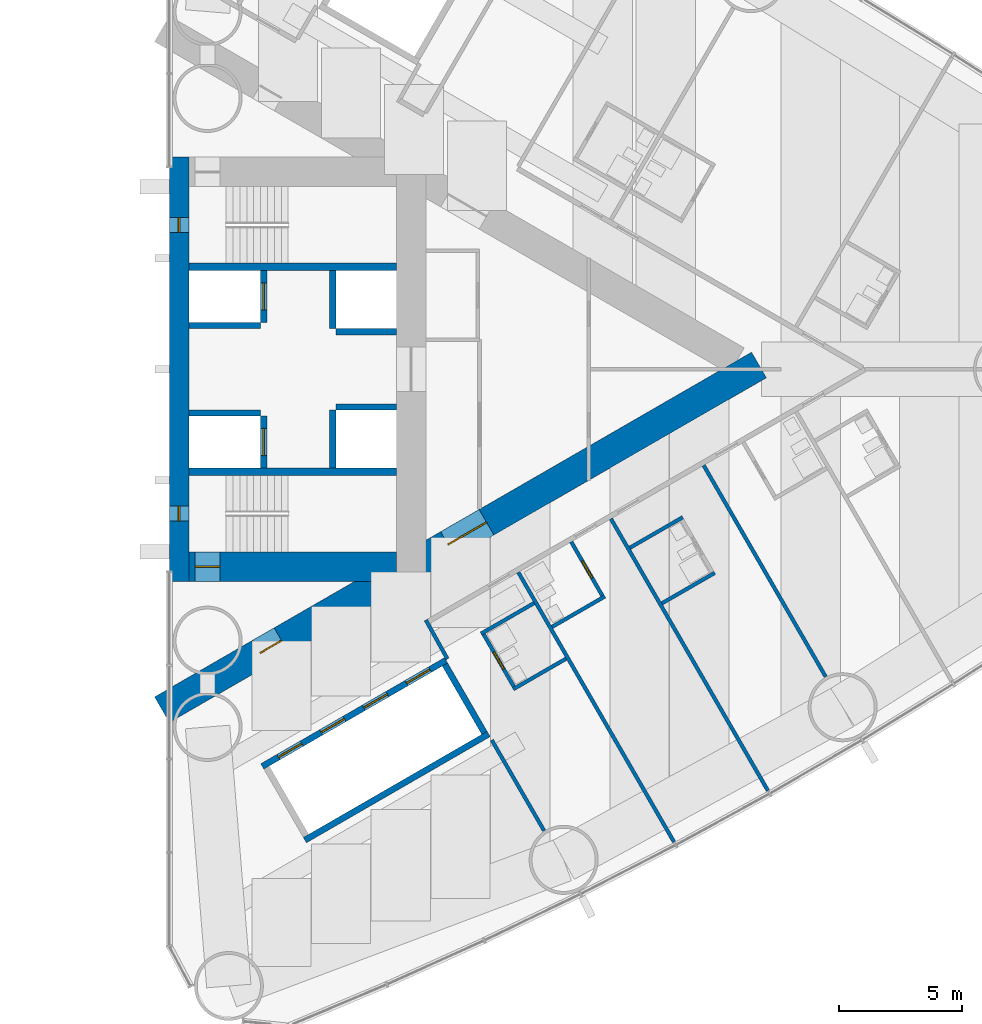
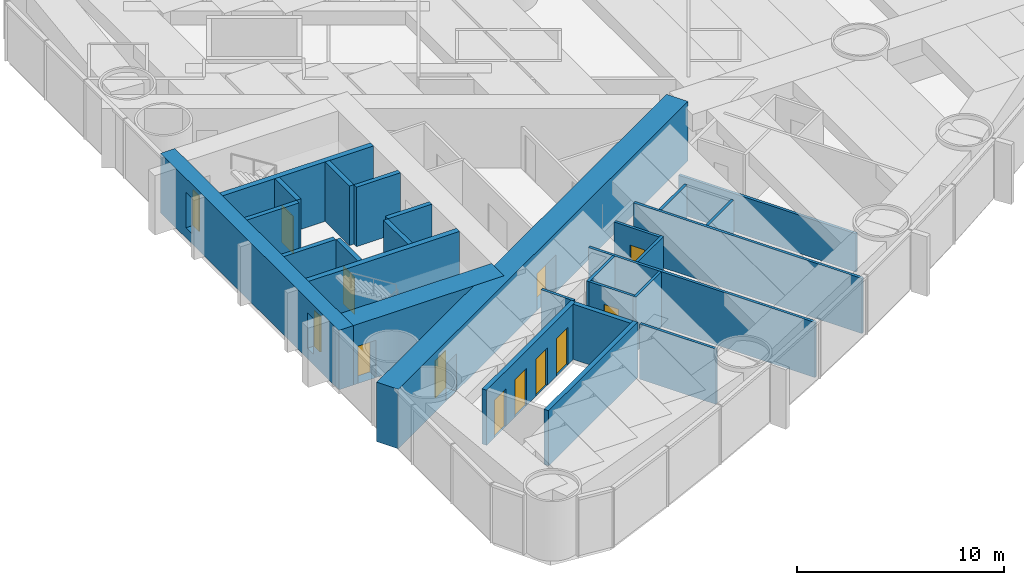
# One storey, part 14 of 19: 28 walls, 11 doors, 2 windows, 13 openings.
"""IFC4 building model written with IfcOpenShell, lengths in metres."""

from ifc_helpers import new_model, si_unit, direction, frame, frame_2d, origin, place, context, subcontext, project, spatial, rectangle, extrude, material, layer, layer_set, type_object, element, fill, save


model = new_model("IFC4")

# Units and contexts
model_context = context("Model", 3, precision=1e-05, world=origin(), true_north=direction((0.0, 1.0)))
body_context = subcontext(model_context, "Body", "Model", "MODEL_VIEW")
ifc_project = project(units=[si_unit("LENGTHUNIT", "METRE"), si_unit("AREAUNIT", "SQUARE_METRE"), si_unit("VOLUMEUNIT", "CUBIC_METRE"), si_unit("PLANEANGLEUNIT", "RADIAN"), si_unit("MASSUNIT", "GRAM", prefix="KILO")], contexts=[model_context])

# Site, building, storey
site_placement = place(None, origin())
site = spatial("IfcSite", under=ifc_project, at=site_placement, CompositionType="ELEMENT")
building_placement = place(site_placement, origin())
building = spatial("IfcBuilding", under=site, at=building_placement, Name="Lancet Gate Hotel", CompositionType="ELEMENT")
storey_placement = place(building_placement, frame((0.0, 0.0, 63.5)))
storey = spatial("IfcBuildingStorey", under=building, at=storey_placement, Name="L16", CompositionType="ELEMENT", Elevation=63.5)

# Wall
ifc_material_1 = material(Name="Moisture resistant board partition")
ifc_layer_1 = layer(ifc_material_1, 0.14990234375)
ifc_layer_set_1 = layer_set([ifc_layer_1], Name="Bathroom wall 150")
wall_type_1 = type_object("IfcWallType", Name="Bathroom wall 150", PredefinedType="PARTITIONING", material=ifc_layer_set_1)
wall_1_placement = place(storey_placement, frame((43.01220703125, -10.4443359375, 0.0), z_axis=(0.0, 0.0, 1.0), x_axis=(0.866031185235, 0.4999899861, 0.0)))
element("IfcWall", 1, at=wall_1_placement, inside=storey, type_object=wall_type_1, Name="T2 bathroom wall 150 L16", PredefinedType="PARTITIONING", context=body_context, shape_type="SweptSolid", body=[
    extrude(rectangle(XDim=2.47509765625, YDim=0.14990234375, at=frame_2d((1.237548828125, 0.0))), origin(), (0.0, 0.0, 1.0), 3.25),
])

# Wall, opening, door
wall_2_placement = place(storey_placement, frame((43.790771484375, -6.99267578125, 0.0), z_axis=(0.0, 0.0, 1.0), x_axis=(0.500047596559, -0.865997922154, 0.0)))
wall_2 = element("IfcWall", 2, at=wall_2_placement, inside=storey, type_object=wall_type_1, Name="T2 bathroom wall 150 L16", PredefinedType="PARTITIONING", context=body_context, shape_type="SweptSolid", body=[
    extrude(rectangle(XDim=2.599853515625, YDim=0.14990234375, at=frame_2d((1.2998046875, 0.0))), origin(), (0.0, 0.0, 1.0), 3.25),
])
opening_1_placement = place(wall_2_placement, frame((0.89990234375, 0.0, 0.0)))
opening_1 = element("IfcOpeningElement", 3, at=opening_1_placement, cuts=wall_2, Name="Opening 1654-B", PredefinedType="OPENING", context=body_context, shape_type="SweptSolid", body=[
    extrude(rectangle(XDim=0.800048828125, YDim=2.199951171875, at=frame_2d((0.39990234375, 1.10009765625))), frame((0.0, 0.0849609375, 0.0), z_axis=(0.0, -1.0, 0.0), x_axis=(1.0, 0.0, 0.0)), (0.0, 0.0, 1.0), 0.169921875),
])
ifc_material_2 = material(Name="Timber door set", Category="wood")
door_type_1 = type_object("IfcDoorType", Name="Bathroom door 800", OperationType="SINGLE_SWING_RIGHT", PredefinedType="DOOR", material=ifc_material_2)
door_1_placement = place(opening_1_placement, origin())
door_1 = element("IfcDoor", 4, at=door_1_placement, inside=storey, type_object=door_type_1, Name="1654-B", OperationType="SINGLE_SWING_RIGHT", OverallHeight=2.199951171875, OverallWidth=0.800048828125, PredefinedType="DOOR", context=body_context, shape_type="SweptSolid", body=[
    extrude(rectangle(XDim=0.800048828125, YDim=2.199951171875, at=frame_2d((0.39990234375, 1.10009765625))), frame((0.0, 0.02490234375, 0.0), z_axis=(0.0, -1.0, 0.0), x_axis=(1.0, 0.0, 0.0)), (0.0, 0.0, 1.0), 0.050048828125),
])
fill(opening_1, door_1)

# Walls
for number, where, z_axis, x_axis, name in (
    (5, (47.468017578125, -9.48828125, 0.0), (0.0, 0.0, 1.0), (0.86604923931, 0.499958713387, 0.0), "T2 bathroom wall 150 L16"),
    (6, (46.16796875, -7.23681640625, 0.0), (0.0, 0.0, 1.0), (0.866006523861, 0.500032699561, 0.0), "T2 bathroom wall 150 L16"),
):
    element("IfcWall", number, at=place(storey_placement, frame(where, z_axis=z_axis, x_axis=x_axis)), inside=storey, type_object=wall_type_1, Name=name, PredefinedType="PARTITIONING", context=body_context, shape_type="SweptSolid", body=[
        extrude(rectangle(XDim=2.474853515625, YDim=0.14990234375, at=frame_2d((1.2373046875, 0.0))), origin(), (0.0, 0.0, 1.0), 3.25),
    ])
wall_3_placement = place(storey_placement, frame((41.43896484375, -12.96923828125, 0.0), z_axis=(0.0, 0.0, 1.0), x_axis=(0.866031185235, 0.4999899861, 0.0)))
element("IfcWall", 7, at=wall_3_placement, inside=storey, type_object=wall_type_1, Name="T2 bathroom wall 150 L16", PredefinedType="PARTITIONING", context=body_context, shape_type="SweptSolid", body=[
    extrude(rectangle(XDim=2.47509765625, YDim=0.14990234375, at=frame_2d((1.237548828125, 0.0))), origin(), (0.0, 0.0, 1.0), 3.25),
])

# Wall, opening, door
wall_4_placement = place(storey_placement, frame((40.203857421875, -10.679931640625, 0.0), z_axis=(0.0, 0.0, 1.0), x_axis=(0.500006934395, -0.866021400173, 0.0)))
wall_4 = element("IfcWall", 8, at=wall_4_placement, inside=storey, type_object=wall_type_1, Name="T2 bathroom wall 150 L16", PredefinedType="PARTITIONING", context=body_context, shape_type="SweptSolid", body=[
    extrude(rectangle(XDim=2.60009765625, YDim=0.14990234375, at=frame_2d((1.300048828125, 0.0))), origin(), (0.0, 0.0, 1.0), 3.25),
])
opening_2_placement = place(wall_4_placement, frame((0.89990234375, 0.0, 0.0)))
opening_2 = element("IfcOpeningElement", 9, at=opening_2_placement, cuts=wall_4, Name="Opening 1653-B", PredefinedType="OPENING", context=body_context, shape_type="SweptSolid", body=[
    extrude(rectangle(XDim=0.800048828125, YDim=2.199951171875, at=frame_2d((0.39990234375, 1.10009765625))), frame((0.0, 0.0849609375, 0.0), z_axis=(0.0, -1.0, 0.0), x_axis=(1.0, 0.0, 0.0)), (0.0, 0.0, 1.0), 0.169921875),
])
door_2_placement = place(opening_2_placement, origin())
door_2 = element("IfcDoor", 10, at=door_2_placement, inside=storey, type_object=door_type_1, Name="1653-B", OperationType="SINGLE_SWING_RIGHT", OverallHeight=2.199951171875, OverallWidth=0.800048828125, PredefinedType="DOOR", context=body_context, shape_type="SweptSolid", body=[
    extrude(rectangle(XDim=0.800048828125, YDim=2.199951171875, at=frame_2d((0.39990234375, 1.10009765625))), frame((0.0, 0.02490234375, 0.0), z_axis=(0.0, -1.0, 0.0), x_axis=(1.0, 0.0, 0.0)), (0.0, 0.0, 1.0), 0.050048828125),
])
fill(opening_2, door_2)

# Wall
wall_5_placement = place(storey_placement, frame((40.138916015625, -10.717529296875, 0.0), z_axis=(0.0, 0.0, 1.0), x_axis=(0.866031185235, 0.4999899861, 0.0)))
element("IfcWall", 11, at=wall_5_placement, inside=storey, type_object=wall_type_1, Name="T2 bathroom wall 150 L16", PredefinedType="PARTITIONING", context=body_context, shape_type="SweptSolid", body=[
    extrude(rectangle(XDim=2.47509765625, YDim=0.14990234375, at=frame_2d((1.237548828125, 0.0))), origin(), (0.0, 0.0, 1.0), 3.25),
])

# Wall, openings, doors
ifc_material_3 = material(Name="Concrete C70/85", Category="concrete")
ifc_layer_2 = layer(ifc_material_3, 1.199951171875)
ifc_layer_set_2 = layer_set([ifc_layer_2], Name="Buttress wall 1200")
wall_type_2 = type_object("IfcWallType", Name="Buttress wall 1200", PredefinedType="SHEAR", material=ifc_layer_set_2)
wall_6_placement = place(storey_placement, frame((27.199951171875, -13.800048828125, 0.0), z_axis=(0.0, 0.0, 1.0), x_axis=(0.866027159892, 0.499996958321, 0.0)))
wall_6 = element("IfcWall", 12, at=wall_6_placement, inside=storey, type_object=wall_type_2, Name="T2 buttress wall S L16", PredefinedType="SHEAR", context=body_context, shape_type="SweptSolid", body=[
    extrude(rectangle(XDim=27.946533203125, YDim=1.199951171875, at=frame_2d((13.97314453125, 0.0))), origin(), (0.0, 0.0, 1.0), 3.5),
])
opening_3_placement = place(wall_6_placement, frame((4.60009765625, 0.0, 0.0)))
opening_3 = element("IfcOpeningElement", 13, at=opening_3_placement, cuts=wall_6, Name="Opening T2-L16-LS", PredefinedType="OPENING", context=body_context, shape_type="SweptSolid", body=[
    extrude(rectangle(XDim=1.0, YDim=2.199951171875, at=frame_2d((0.5, 1.10009765625))), frame((0.0, 0.60986328125, 0.0), z_axis=(0.0, -1.0, 0.0), x_axis=(1.0, 0.0, 0.0)), (0.0, 0.0, 1.0), 1.219970703125),
])
opening_4_placement = place(wall_6_placement, frame((13.39453125, 0.0, 0.0)))
opening_4 = element("IfcOpeningElement", 14, at=opening_4_placement, cuts=wall_6, Name="Opening T2-L16-LHS", PredefinedType="OPENING", context=body_context, shape_type="SweptSolid", body=[
    extrude(rectangle(XDim=1.800048828125, YDim=2.199951171875, at=frame_2d((0.89990234375, 1.10009765625))), frame((0.0, 0.60986328125, 0.0), z_axis=(0.0, -1.0, 0.0), x_axis=(1.0, 0.0, 0.0)), (0.0, 0.0, 1.0), 1.219970703125),
])
ifc_material_4 = material(Name="Timber door set", Category="wood")
door_type_2 = type_object("IfcDoorType", Name="Lobby double door 1800", OperationType="DOUBLE_DOOR_SINGLE_SWING", PredefinedType="DOOR", material=ifc_material_4)
door_3_placement = place(opening_4_placement, origin())
door_3 = element("IfcDoor", 15, at=door_3_placement, inside=storey, type_object=door_type_2, Name="T2-L16-LHS", OperationType="DOUBLE_DOOR_SINGLE_SWING", OverallHeight=2.199951171875, OverallWidth=1.800048828125, PredefinedType="DOOR", context=body_context, shape_type="SweptSolid", body=[
    extrude(rectangle(XDim=1.800048828125, YDim=2.199951171875, at=frame_2d((0.89990234375, 1.10009765625))), frame((0.0, 0.02490234375, 0.0), z_axis=(0.0, -1.0, 0.0), x_axis=(1.0, 0.0, 0.0)), (0.0, 0.0, 1.0), 0.050048828125),
])
fill(opening_4, door_3)
ifc_material_5 = material(Name="Timber door set", Category="wood")
door_type_3 = type_object("IfcDoorType", Name="Stair lobby door 1000", OperationType="SINGLE_SWING_LEFT", PredefinedType="DOOR", material=ifc_material_5)
door_4_placement = place(opening_3_placement, origin())
door_4 = element("IfcDoor", 16, at=door_4_placement, inside=storey, type_object=door_type_3, Name="T2-L16-LS", OperationType="SINGLE_SWING_LEFT", OverallHeight=2.199951171875, OverallWidth=1.0, PredefinedType="DOOR", context=body_context, shape_type="SweptSolid", body=[
    extrude(rectangle(XDim=1.0, YDim=2.199951171875, at=frame_2d((0.5, 1.10009765625))), frame((0.0, 0.02490234375, 0.0), z_axis=(0.0, -1.0, 0.0), x_axis=(1.0, 0.0, 0.0)), (0.0, 0.0, 1.0), 0.050048828125),
])
fill(opening_3, door_4)

# Wall, opening, door
ifc_material_6 = material(Name="Concrete C70/85", Category="concrete")
ifc_layer_3 = layer(ifc_material_6, 1.199951171875)
ifc_layer_set_3 = layer_set([ifc_layer_3], Name="Core wall 1200")
wall_type_3 = type_object("IfcWallType", Name="Core wall 1200", PredefinedType="SHEAR", material=ifc_layer_set_3)
wall_7_placement = place(storey_placement, frame((28.300048828125, -8.0, 0.0), z_axis=(0.0, 0.0, 1.0), x_axis=(1.0, 0.0, 0.0)))
wall_7 = element("IfcWall", 17, at=wall_7_placement, inside=storey, type_object=wall_type_3, Name="T2 core wall side-S L16", PredefinedType="SHEAR", context=body_context, shape_type="SweptSolid", body=[
    extrude(rectangle(XDim=8.39990234375, YDim=1.199951171875, at=frame_2d((4.199951171875, 0.0))), origin(), (0.0, 0.0, 1.0), 3.5),
])
opening_5_placement = place(wall_7_placement, frame((0.25, 0.0, 0.0)))
opening_5 = element("IfcOpeningElement", 18, at=opening_5_placement, cuts=wall_7, Name="Opening T2-L16-ST1", PredefinedType="OPENING", context=body_context, shape_type="SweptSolid", body=[
    extrude(rectangle(XDim=1.0, YDim=2.199951171875, at=frame_2d((0.5, 1.10009765625))), frame((0.0, 0.60986328125, 0.0), z_axis=(0.0, -1.0, 0.0), x_axis=(1.0, 0.0, 0.0)), (0.0, 0.0, 1.0), 1.219970703125),
])
ifc_material_7 = material(Name="Timber door set", Category="wood")
door_type_4 = type_object("IfcDoorType", Name="Stair door 1000", OperationType="SINGLE_SWING_RIGHT", PredefinedType="DOOR", material=ifc_material_7)
door_5_placement = place(opening_5_placement, origin())
door_5 = element("IfcDoor", 19, at=door_5_placement, inside=storey, type_object=door_type_4, Name="T2-L16-ST1", OperationType="SINGLE_SWING_RIGHT", OverallHeight=2.199951171875, OverallWidth=1.0, PredefinedType="DOOR", context=body_context, shape_type="SweptSolid", body=[
    extrude(rectangle(XDim=1.0, YDim=2.199951171875, at=frame_2d((0.5, 1.10009765625))), frame((0.0, 0.02490234375, 0.0), z_axis=(0.0, -1.0, 0.0), x_axis=(1.0, 0.0, 0.0)), (0.0, 0.0, 1.0), 0.050048828125),
])
fill(opening_5, door_5)

# Wall, openings, windows
ifc_material_8 = material(Name="Concrete C70/85", Category="concrete")
ifc_layer_4 = layer(ifc_material_8, 0.800048828125)
ifc_layer_set_4 = layer_set([ifc_layer_4], Name="Core wall 800")
wall_type_4 = type_object("IfcWallType", Name="Core wall 800", PredefinedType="SHEAR", material=ifc_layer_set_4)
wall_8_placement = place(storey_placement, frame((27.89990234375, -8.60009765625, 0.0), z_axis=(0.0, 0.0, 1.0), x_axis=(0.0, 1.0, 0.0)))
wall_8 = element("IfcWall", 20, at=wall_8_placement, inside=storey, type_object=wall_type_4, Name="T2 core wall front L16", PredefinedType="SHEAR", context=body_context, shape_type="SweptSolid", body=[
    extrude(rectangle(XDim=17.2001953125, YDim=0.800048828125, at=frame_2d((8.60009765625, 0.0))), origin(), (0.0, 0.0, 1.0), 3.5),
])
opening_6_placement = place(wall_8_placement, frame((2.449951171875, 0.0, 0.60009765625)))
opening_6 = element("IfcOpeningElement", 21, at=opening_6_placement, cuts=wall_8, Name="Opening LW1", PredefinedType="OPENING", context=body_context, shape_type="SweptSolid", body=[
    extrude(rectangle(XDim=0.60009765625, YDim=2.10009765625, at=frame_2d((0.300048828125, 1.050048828125))), frame((0.0, 0.409912109375, 0.0), z_axis=(0.0, -1.0, 0.0), x_axis=(1.0, 0.0, 0.0)), (0.0, 0.0, 1.0), 0.820068359375),
])
opening_7_placement = place(wall_8_placement, frame((14.14990234375, 0.0, 0.60009765625)))
opening_7 = element("IfcOpeningElement", 22, at=opening_7_placement, cuts=wall_8, Name="Opening LW1", PredefinedType="OPENING", context=body_context, shape_type="SweptSolid", body=[
    extrude(rectangle(XDim=0.60009765625, YDim=2.10009765625, at=frame_2d((0.300048828125, 1.050048828125))), frame((0.0, 0.409912109375, 0.0), z_axis=(0.0, -1.0, 0.0), x_axis=(1.0, 0.0, 0.0)), (0.0, 0.0, 1.0), 0.820068359375),
])
ifc_material_9 = material(Name="Fire-resisting glazed steel window", Category="steel")
window_type = type_object("IfcWindowType", Name="Lancet window 600x2100", PartitioningType="SINGLE_PANEL", PredefinedType="WINDOW", material=ifc_material_9)
window_1_placement = place(opening_6_placement, origin())
window_1 = element("IfcWindow", 23, at=window_1_placement, inside=storey, type_object=window_type, Name="T2 stair window S L16", OverallHeight=2.10009765625, OverallWidth=0.60009765625, PartitioningType="SINGLE_PANEL", PredefinedType="WINDOW", context=body_context, shape_type="SweptSolid", body=[
    extrude(rectangle(XDim=0.60009765625, YDim=2.10009765625, at=frame_2d((0.300048828125, 1.050048828125))), frame((0.0, 0.030029296875, 0.0), z_axis=(0.0, -1.0, 0.0), x_axis=(1.0, 0.0, 0.0)), (0.0, 0.0, 1.0), 0.06005859375),
])
fill(opening_6, window_1)
window_2_placement = place(opening_7_placement, origin())
window_2 = element("IfcWindow", 24, at=window_2_placement, inside=storey, type_object=window_type, Name="T2 stair window N L16", OverallHeight=2.10009765625, OverallWidth=0.60009765625, PartitioningType="SINGLE_PANEL", PredefinedType="WINDOW", context=body_context, shape_type="SweptSolid", body=[
    extrude(rectangle(XDim=0.60009765625, YDim=2.10009765625, at=frame_2d((0.300048828125, 1.050048828125))), frame((0.0, 0.030029296875, 0.0), z_axis=(0.0, -1.0, 0.0), x_axis=(1.0, 0.0, 0.0)), (0.0, 0.0, 1.0), 0.06005859375),
])
fill(opening_7, window_2)

# Wall, openings, doors
ifc_material_10 = material(Name="Gypsum board partition")
ifc_layer_5 = layer(ifc_material_10, 0.25)
ifc_layer_set_5 = layer_set([ifc_layer_5], Name="Lift shaft partition 250")
wall_type_5 = type_object("IfcWallType", Name="Lift shaft partition 250", PredefinedType="PARTITIONING", material=ifc_layer_set_5)
wall_9_placement = place(storey_placement, frame((31.2705078125, -16.09716796875, 0.0), z_axis=(0.0, 0.0, 1.0), x_axis=(0.86604045752, 0.499973925258, 0.0)))
wall_9 = element("IfcWall", 25, at=wall_9_placement, inside=storey, type_object=wall_type_5, Name="T2 lift shaft wall LR L16", PredefinedType="PARTITIONING", context=body_context, shape_type="SweptSolid", body=[
    extrude(rectangle(XDim=8.60009765625, YDim=0.25, at=frame_2d((4.300048828125, 0.0))), origin(), (0.0, 0.0, 1.0), 3.25),
])
opening_8_placement = place(wall_9_placement, frame((0.75, 0.0, 0.0)))
opening_8 = element("IfcOpeningElement", 26, at=opening_8_placement, cuts=wall_9, Name="Opening T2-LR1-L16", PredefinedType="OPENING", context=body_context, shape_type="SweptSolid", body=[
    extrude(rectangle(XDim=1.10009765625, YDim=2.199951171875, at=frame_2d((0.550048828125, 1.10009765625))), frame((0.0, 0.135009765625, 0.0), z_axis=(0.0, -1.0, 0.0), x_axis=(1.0, 0.0, 0.0)), (0.0, 0.0, 1.0), 0.27001953125),
])
opening_9_placement = place(wall_9_placement, frame((2.75, 0.0, 0.0)))
opening_9 = element("IfcOpeningElement", 27, at=opening_9_placement, cuts=wall_9, Name="Opening T2-LR2-L16", PredefinedType="OPENING", context=body_context, shape_type="SweptSolid", body=[
    extrude(rectangle(XDim=1.10009765625, YDim=2.199951171875, at=frame_2d((0.550048828125, 1.10009765625))), frame((0.0, 0.135009765625, 0.0), z_axis=(0.0, -1.0, 0.0), x_axis=(1.0, 0.0, 0.0)), (0.0, 0.0, 1.0), 0.27001953125),
])
opening_10_placement = place(wall_9_placement, frame((4.75, 0.0, 0.0)))
opening_10 = element("IfcOpeningElement", 28, at=opening_10_placement, cuts=wall_9, Name="Opening T2-LR3-L16", PredefinedType="OPENING", context=body_context, shape_type="SweptSolid", body=[
    extrude(rectangle(XDim=1.10009765625, YDim=2.199951171875, at=frame_2d((0.550048828125, 1.10009765625))), frame((0.0, 0.135009765625, 0.0), z_axis=(0.0, -1.0, 0.0), x_axis=(1.0, 0.0, 0.0)), (0.0, 0.0, 1.0), 0.27001953125),
])
opening_11_placement = place(wall_9_placement, frame((6.75, 0.0, 0.0)))
opening_11 = element("IfcOpeningElement", 29, at=opening_11_placement, cuts=wall_9, Name="Opening T2-LR4-L16", PredefinedType="OPENING", context=body_context, shape_type="SweptSolid", body=[
    extrude(rectangle(XDim=1.10009765625, YDim=2.199951171875, at=frame_2d((0.550048828125, 1.10009765625))), frame((0.0, 0.135009765625, 0.0), z_axis=(0.0, -1.0, 0.0), x_axis=(1.0, 0.0, 0.0)), (0.0, 0.0, 1.0), 0.27001953125),
])
ifc_material_11 = material(Name="Steel door set", Category="steel")
door_type_5 = type_object("IfcDoorType", Name="Lift landing door 1100", OperationType="DOUBLE_DOOR_SLIDING", PredefinedType="USERDEFINED", material=ifc_material_11)
door_6_placement = place(opening_8_placement, origin())
door_6 = element("IfcDoor", 30, at=door_6_placement, inside=storey, type_object=door_type_5, Name="T2-LR1-L16", ObjectType="LIFT LANDING DOOR", OperationType="DOUBLE_DOOR_SLIDING", OverallHeight=2.199951171875, OverallWidth=1.10009765625, PredefinedType="USERDEFINED", context=body_context, shape_type="SweptSolid", body=[
    extrude(rectangle(XDim=1.10009765625, YDim=2.199951171875, at=frame_2d((0.550048828125, 1.10009765625))), frame((0.0, 0.02490234375, 0.0), z_axis=(0.0, -1.0, 0.0), x_axis=(1.0, 0.0, 0.0)), (0.0, 0.0, 1.0), 0.050048828125),
])
fill(opening_8, door_6)
door_7_placement = place(opening_9_placement, origin())
door_7 = element("IfcDoor", 31, at=door_7_placement, inside=storey, type_object=door_type_5, Name="T2-LR2-L16", ObjectType="LIFT LANDING DOOR", OperationType="DOUBLE_DOOR_SLIDING", OverallHeight=2.199951171875, OverallWidth=1.10009765625, PredefinedType="USERDEFINED", context=body_context, shape_type="SweptSolid", body=[
    extrude(rectangle(XDim=1.10009765625, YDim=2.199951171875, at=frame_2d((0.550048828125, 1.10009765625))), frame((0.0, 0.02490234375, 0.0), z_axis=(0.0, -1.0, 0.0), x_axis=(1.0, 0.0, 0.0)), (0.0, 0.0, 1.0), 0.050048828125),
])
fill(opening_9, door_7)
door_8_placement = place(opening_10_placement, origin())
door_8 = element("IfcDoor", 32, at=door_8_placement, inside=storey, type_object=door_type_5, Name="T2-LR3-L16", ObjectType="LIFT LANDING DOOR", OperationType="DOUBLE_DOOR_SLIDING", OverallHeight=2.199951171875, OverallWidth=1.10009765625, PredefinedType="USERDEFINED", context=body_context, shape_type="SweptSolid", body=[
    extrude(rectangle(XDim=1.10009765625, YDim=2.199951171875, at=frame_2d((0.550048828125, 1.10009765625))), frame((0.0, 0.02490234375, 0.0), z_axis=(0.0, -1.0, 0.0), x_axis=(1.0, 0.0, 0.0)), (0.0, 0.0, 1.0), 0.050048828125),
])
fill(opening_10, door_8)
door_9_placement = place(opening_11_placement, origin())
door_9 = element("IfcDoor", 33, at=door_9_placement, inside=storey, type_object=door_type_5, Name="T2-LR4-L16", ObjectType="LIFT LANDING DOOR", OperationType="DOUBLE_DOOR_SLIDING", OverallHeight=2.199951171875, OverallWidth=1.10009765625, PredefinedType="USERDEFINED", context=body_context, shape_type="SweptSolid", body=[
    extrude(rectangle(XDim=1.10009765625, YDim=2.199951171875, at=frame_2d((0.550048828125, 1.10009765625))), frame((0.0, 0.02490234375, 0.0), z_axis=(0.0, -1.0, 0.0), x_axis=(1.0, 0.0, 0.0)), (0.0, 0.0, 1.0), 0.050048828125),
])
fill(opening_11, door_9)

# Walls
wall_10_placement = place(storey_placement, frame((32.99560546875, -19.085693359375, 0.0), z_axis=(0.0, 0.0, 1.0), x_axis=(0.866028165386, 0.499995216735, 0.0)))
element("IfcWall", 34, at=wall_10_placement, inside=storey, type_object=wall_type_5, Name="T2 lift shaft wall LR L16", PredefinedType="PARTITIONING", context=body_context, shape_type="SweptSolid", body=[
    extrude(rectangle(XDim=8.60009765625, YDim=0.25, at=frame_2d((4.300048828125, 0.0))), origin(), (0.0, 0.0, 1.0), 3.25),
])
wall_11_placement = place(storey_placement, frame((38.672607421875, -11.968017578125, 0.0), z_axis=(0.0, 0.0, 1.0), x_axis=(0.499929347863, -0.866066190972, 0.0)))
element("IfcWall", 35, at=wall_11_placement, inside=storey, type_object=wall_type_5, Name="T2 lift shaft wall LR L16", PredefinedType="PARTITIONING", context=body_context, shape_type="SweptSolid", body=[
    extrude(rectangle(XDim=3.20068359375, YDim=0.25, at=frame_2d((1.600341796875, 0.0))), origin(), (0.0, 0.0, 1.0), 3.25),
])

# Wall, opening, door
ifc_material_12 = material(Name="Concrete C50/60", Category="concrete")
ifc_layer_6 = layer(ifc_material_12, 0.25)
ifc_layer_set_6 = layer_set([ifc_layer_6], Name="Lift shaft wall 250")
wall_type_6 = type_object("IfcWallType", Name="Lift shaft wall 250", PredefinedType="SHEAR", material=ifc_layer_set_6)
wall_12_placement = place(storey_placement, frame((31.324951171875, -4.0, 0.0), z_axis=(0.0, 0.0, 1.0), x_axis=(0.0, 1.0, 0.0)))
wall_12 = element("IfcWall", 36, at=wall_12_placement, inside=storey, type_object=wall_type_6, Name="T2 core wall row1-S L16", PredefinedType="SHEAR", context=body_context, shape_type="SweptSolid", body=[
    extrude(rectangle(XDim=2.10009765625, YDim=0.25, at=frame_2d((1.050048828125, 0.0))), origin(), (0.0, 0.0, 1.0), 3.5),
])
opening_12_placement = place(wall_12_placement, frame((0.5, 0.0, 0.0)))
opening_12 = element("IfcOpeningElement", 37, at=opening_12_placement, cuts=wall_12, Name="Opening T2-SL1-L16", PredefinedType="OPENING", context=body_context, shape_type="SweptSolid", body=[
    extrude(rectangle(XDim=1.10009765625, YDim=2.199951171875, at=frame_2d((0.550048828125, 1.10009765625))), frame((0.0, 0.135009765625, 0.0), z_axis=(0.0, -1.0, 0.0), x_axis=(1.0, 0.0, 0.0)), (0.0, 0.0, 1.0), 0.27001953125),
])
ifc_material_13 = material(Name="Timber door set", Category="wood")
door_type_6 = type_object("IfcDoorType", Name="Service lift landing door 1100", OperationType="SLIDING_TO_LEFT", PredefinedType="USERDEFINED", material=ifc_material_13)
door_10_placement = place(opening_12_placement, origin())
door_10 = element("IfcDoor", 38, at=door_10_placement, inside=storey, type_object=door_type_6, Name="T2-SL1-L16", ObjectType="LIFT LANDING DOOR", OperationType="SLIDING_TO_LEFT", OverallHeight=2.199951171875, OverallWidth=1.10009765625, PredefinedType="USERDEFINED", context=body_context, shape_type="SweptSolid", body=[
    extrude(rectangle(XDim=1.10009765625, YDim=2.199951171875, at=frame_2d((0.550048828125, 1.10009765625))), frame((0.0, 0.02490234375, 0.0), z_axis=(0.0, -1.0, 0.0), x_axis=(1.0, 0.0, 0.0)), (0.0, 0.0, 1.0), 0.050048828125),
])
fill(opening_12, door_10)

# Walls
wall_13_placement = place(storey_placement, frame((34.125, -4.0, 0.0), z_axis=(0.0, 0.0, 1.0), x_axis=(0.0, 1.0, 0.0)))
element("IfcWall", 39, at=wall_13_placement, inside=storey, type_object=wall_type_6, Name="T2 core wall row2-S L16", PredefinedType="SHEAR", context=body_context, shape_type="SweptSolid", body=[
    extrude(rectangle(XDim=2.35009765625, YDim=0.25, at=frame_2d((1.175048828125, 0.0))), origin(), (0.0, 0.0, 1.0), 3.5),
])
wall_14_placement = place(storey_placement, frame((28.300048828125, -1.77490234375, 0.0), z_axis=(0.0, 0.0, 1.0), x_axis=(1.0, 0.0, 0.0)))
element("IfcWall", 40, at=wall_14_placement, inside=storey, type_object=wall_type_6, Name="T2 core wall pass1-S L16", PredefinedType="SHEAR", context=body_context, shape_type="SweptSolid", body=[
    extrude(rectangle(XDim=2.89990234375, YDim=0.25, at=frame_2d((1.449951171875, 0.0))), origin(), (0.0, 0.0, 1.0), 3.5),
])
wall_15_placement = place(storey_placement, frame((34.25, -1.52490234375, 0.0), z_axis=(0.0, 0.0, 1.0), x_axis=(1.0, 0.0, 0.0)))
element("IfcWall", 41, at=wall_15_placement, inside=storey, type_object=wall_type_6, Name="T2 core wall pass2-S L16", PredefinedType="SHEAR", context=body_context, shape_type="SweptSolid", body=[
    extrude(rectangle(XDim=2.449951171875, YDim=0.25, at=frame_2d((1.22509765625, 0.0))), origin(), (0.0, 0.0, 1.0), 3.5),
])

# Wall, opening, door
wall_16_placement = place(storey_placement, frame((31.324951171875, 1.89990234375, 0.0), z_axis=(0.0, 0.0, 1.0), x_axis=(0.0, 1.0, 0.0)))
wall_16 = element("IfcWall", 42, at=wall_16_placement, inside=storey, type_object=wall_type_6, Name="T2 core wall row1-N L16", PredefinedType="SHEAR", context=body_context, shape_type="SweptSolid", body=[
    extrude(rectangle(XDim=2.10009765625, YDim=0.25, at=frame_2d((1.050048828125, 0.0))), origin(), (0.0, 0.0, 1.0), 3.5),
])
opening_13_placement = place(wall_16_placement, frame((0.5, 0.0, 0.0)))
opening_13 = element("IfcOpeningElement", 43, at=opening_13_placement, cuts=wall_16, Name="Opening T2-FL2-L16", PredefinedType="OPENING", context=body_context, shape_type="SweptSolid", body=[
    extrude(rectangle(XDim=1.10009765625, YDim=2.199951171875, at=frame_2d((0.550048828125, 1.10009765625))), frame((0.0, 0.135009765625, 0.0), z_axis=(0.0, -1.0, 0.0), x_axis=(1.0, 0.0, 0.0)), (0.0, 0.0, 1.0), 0.27001953125),
])
ifc_material_14 = material(Name="Steel door set", Category="steel")
door_type_7 = type_object("IfcDoorType", Name="Firefighting lift landing door 1100", OperationType="SLIDING_TO_LEFT", PredefinedType="USERDEFINED", material=ifc_material_14)
door_11_placement = place(opening_13_placement, origin())
door_11 = element("IfcDoor", 44, at=door_11_placement, inside=storey, type_object=door_type_7, Name="T2-FL2-L16", ObjectType="LIFT LANDING DOOR", OperationType="SLIDING_TO_LEFT", OverallHeight=2.199951171875, OverallWidth=1.10009765625, PredefinedType="USERDEFINED", context=body_context, shape_type="SweptSolid", body=[
    extrude(rectangle(XDim=1.10009765625, YDim=2.199951171875, at=frame_2d((0.550048828125, 1.10009765625))), frame((0.0, 0.02490234375, 0.0), z_axis=(0.0, -1.0, 0.0), x_axis=(1.0, 0.0, 0.0)), (0.0, 0.0, 1.0), 0.050048828125),
])
fill(opening_13, door_11)

# Walls
wall_17_placement = place(storey_placement, frame((34.125, 1.64990234375, 0.0), z_axis=(0.0, 0.0, 1.0), x_axis=(0.0, 1.0, 0.0)))
element("IfcWall", 45, at=wall_17_placement, inside=storey, type_object=wall_type_6, Name="T2 core wall row2-N L16", PredefinedType="SHEAR", context=body_context, shape_type="SweptSolid", body=[
    extrude(rectangle(XDim=2.35009765625, YDim=0.25, at=frame_2d((1.175048828125, 0.0))), origin(), (0.0, 0.0, 1.0), 3.5),
])
wall_18_placement = place(storey_placement, frame((28.300048828125, 1.77490234375, 0.0), z_axis=(0.0, 0.0, 1.0), x_axis=(1.0, 0.0, 0.0)))
element("IfcWall", 46, at=wall_18_placement, inside=storey, type_object=wall_type_6, Name="T2 core wall pass1-N L16", PredefinedType="SHEAR", context=body_context, shape_type="SweptSolid", body=[
    extrude(rectangle(XDim=2.89990234375, YDim=0.25, at=frame_2d((1.449951171875, 0.0))), origin(), (0.0, 0.0, 1.0), 3.5),
])
wall_19_placement = place(storey_placement, frame((34.25, 1.52490234375, 0.0), z_axis=(0.0, 0.0, 1.0), x_axis=(1.0, 0.0, 0.0)))
element("IfcWall", 47, at=wall_19_placement, inside=storey, type_object=wall_type_6, Name="T2 core wall pass2-N L16", PredefinedType="SHEAR", context=body_context, shape_type="SweptSolid", body=[
    extrude(rectangle(XDim=2.449951171875, YDim=0.25, at=frame_2d((1.22509765625, 0.0))), origin(), (0.0, 0.0, 1.0), 3.5),
])
ifc_material_15 = material(Name="Gypsum board partition")
ifc_layer_7 = layer(ifc_material_15, 0.14990234375)
ifc_layer_set_7 = layer_set([ifc_layer_7], Name="Party wall 150")
wall_type_7 = type_object("IfcWallType", Name="Party wall 150", PredefinedType="PARTITIONING", material=ifc_layer_set_7)
wall_20_placement = place(storey_placement, frame((41.6474609375, -8.22998046875, 0.0), z_axis=(0.0, 0.0, 1.0), x_axis=(0.49998590462, -0.866033541603, 0.0)))
element("IfcWall", 48, at=wall_20_placement, inside=storey, type_object=wall_type_7, Name="T2 party wall 150 L16", PredefinedType="PARTITIONING", context=body_context, shape_type="SweptSolid", body=[
    extrude(rectangle(XDim=12.620849609375, YDim=0.14990234375, at=frame_2d((6.310546875, 0.0))), origin(), (0.0, 0.0, 1.0), 3.25),
])
wall_21_placement = place(storey_placement, frame((45.40283203125, -6.061767578125, 0.0), z_axis=(0.0, 0.0, 1.0), x_axis=(0.500007077968, -0.866021317279, 0.0)))
element("IfcWall", 49, at=wall_21_placement, inside=storey, type_object=wall_type_7, Name="T2 party wall 150 L16", PredefinedType="PARTITIONING", context=body_context, shape_type="SweptSolid", body=[
    extrude(rectangle(XDim=12.721435546875, YDim=0.14990234375, at=frame_2d((6.36083984375, 0.0))), origin(), (0.0, 0.0, 1.0), 3.25),
])
wall_22_placement = place(storey_placement, frame((49.159423828125, -3.892822265625, 0.0), z_axis=(0.0, 0.0, 1.0), x_axis=(0.499998773722, -0.866026111775, 0.0)))
element("IfcWall", 50, at=wall_22_placement, inside=storey, type_object=wall_type_7, Name="T2 party wall 150 L16", PredefinedType="PARTITIONING", context=body_context, shape_type="SweptSolid", body=[
    extrude(rectangle(XDim=9.8916015625, YDim=0.14990234375, at=frame_2d((4.94580078125, 0.0))), origin(), (0.0, 0.0, 1.0), 2.25),
])
wall_23_placement = place(storey_placement, frame((40.5703125, -15.030029296875, 0.0), z_axis=(0.0, 0.0, 1.0), x_axis=(0.500012993597, -0.866017901798, 0.0)))
element("IfcWall", 51, at=wall_23_placement, inside=storey, type_object=wall_type_7, Name="T2 party wall 150 L16", PredefinedType="PARTITIONING", context=body_context, shape_type="SweptSolid", body=[
    extrude(rectangle(XDim=4.2431640625, YDim=0.14990234375, at=frame_2d((2.12158203125, 0.0))), origin(), (0.0, 0.0, 1.0), 3.25),
])
ifc_material_16 = material(Name="Gypsum board partition")
ifc_layer_8 = layer(ifc_material_16, 0.14990234375)
ifc_layer_set_8 = layer_set([ifc_layer_8], Name="Service room wall 150")
wall_type_8 = type_object("IfcWallType", Name="Service room wall 150", PredefinedType="PARTITIONING", material=ifc_layer_set_8)
wall_24_placement = place(storey_placement, frame((38.7734375, -11.742431640625, 0.0), z_axis=(0.0, 0.0, 1.0), x_axis=(-0.485528096672, 0.8742210632, 0.0)))
element("IfcWall", 52, at=wall_24_placement, inside=storey, type_object=wall_type_8, Name="T2 service room wall 150 L16", PredefinedType="PARTITIONING", context=body_context, shape_type="SweptSolid", body=[
    extrude(rectangle(XDim=1.80517578125, YDim=0.14990234375, at=frame_2d((0.902587890625, 0.0))), origin(), (0.0, 0.0, 1.0), 3.25),
])
ifc_material_17 = material(Name="Concrete C50/60", Category="concrete")
ifc_layer_9 = layer(ifc_material_17, 0.300048828125)
ifc_layer_set_9 = layer_set([ifc_layer_9], Name="Stair enclosure wall 300")
wall_type_9 = type_object("IfcWallType", Name="Stair enclosure wall 300", PredefinedType="SHEAR", material=ifc_layer_set_9)
for number, where, z_axis, x_axis, name in (
    (53, (28.300048828125, -4.14990234375, 0.0), (0.0, 0.0, 1.0), (1.0, 0.0, 0.0), "T2 core wall stair-S L16"),
    (54, (28.300048828125, 4.14990234375, 0.0), (0.0, 0.0, 1.0), (1.0, 0.0, 0.0), "T2 core wall stair-N L16"),
):
    element("IfcWall", number, at=place(storey_placement, frame(where, z_axis=z_axis, x_axis=x_axis)), inside=storey, type_object=wall_type_9, Name=name, PredefinedType="SHEAR", context=body_context, shape_type="SweptSolid", body=[
        extrude(rectangle(XDim=8.39990234375, YDim=0.300048828125, at=frame_2d((4.199951171875, 0.0))), origin(), (0.0, 0.0, 1.0), 3.5),
    ])

save(model, "model.ifc")
